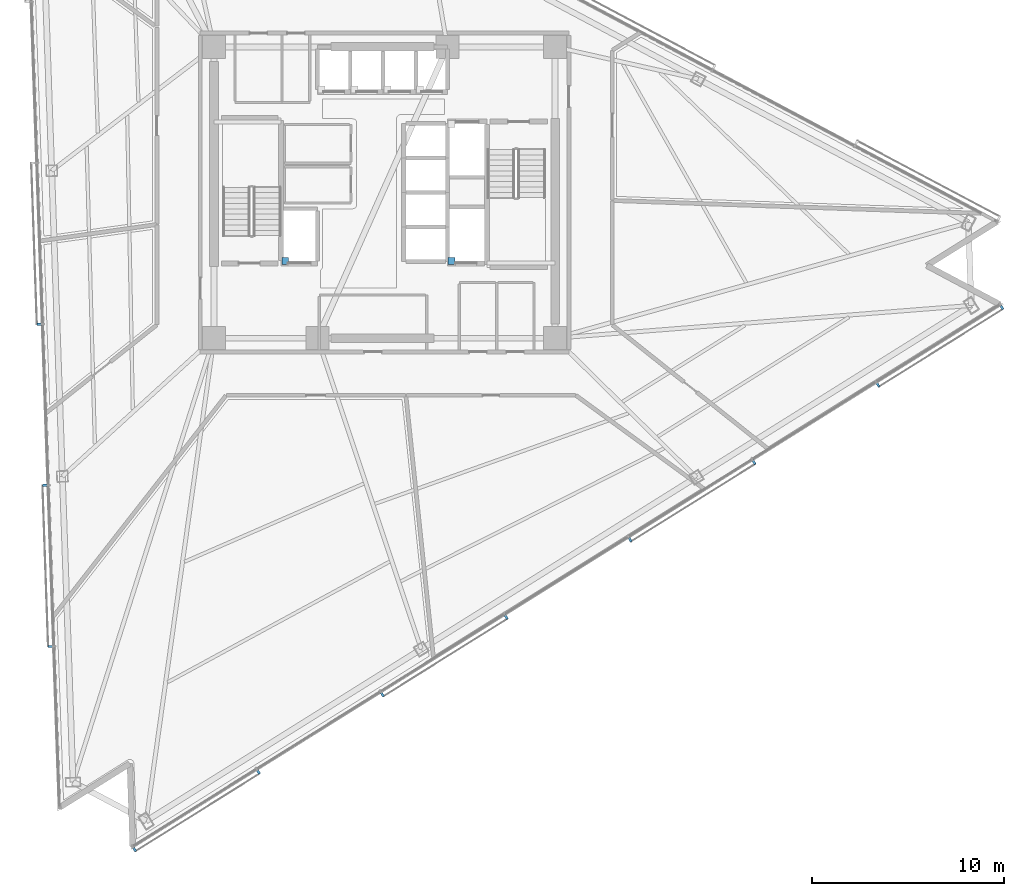
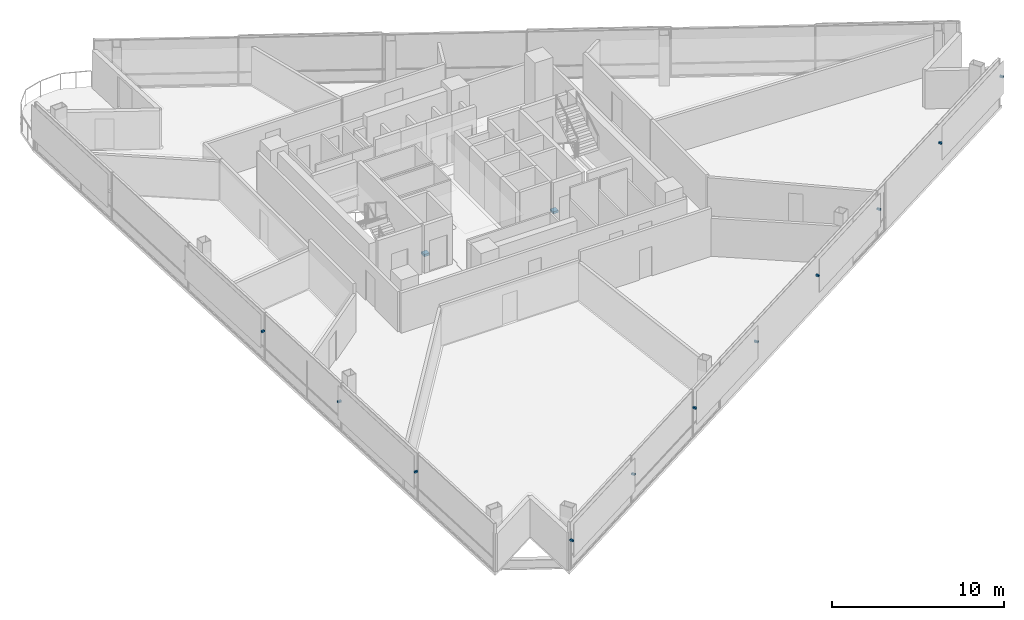
# One storey, part 15 of 20: 13 discrete accessories.
"""IFC4 building model written with IfcOpenShell, lengths in metres."""

from ifc_helpers import new_model, si_unit, direction, frame, origin, origin_2d, place, context, subcontext, project, spatial, rectangle, extrude, material, type_object, element, save


model = new_model("IFC4")

# Units and contexts
model_context = context("Model", 3, precision=1e-05, world=origin(), true_north=direction((0.0, 1.0)))
body_context = subcontext(model_context, "Body", "Model", "MODEL_VIEW")
ifc_project = project(units=[si_unit("LENGTHUNIT", "METRE"), si_unit("AREAUNIT", "SQUARE_METRE"), si_unit("VOLUMEUNIT", "CUBIC_METRE"), si_unit("PLANEANGLEUNIT", "RADIAN"), si_unit("MASSUNIT", "GRAM", prefix="KILO")], contexts=[model_context])

# Site, building, storey
site_placement = place(None, origin())
site = spatial("IfcSite", under=ifc_project, at=site_placement, CompositionType="ELEMENT")
building_placement = place(site_placement, origin())
building = spatial("IfcBuilding", under=site, at=building_placement, Name="Tharavind Bronze Gate", CompositionType="ELEMENT")
storey_placement = place(building_placement, frame((0.0, 0.0, 146.0)))
storey = spatial("IfcBuildingStorey", under=building, at=storey_placement, Name="L37", CompositionType="ELEMENT", Elevation=146.0)

# Discrete accessories
ifc_material_1 = material(Name="Galvanised Steel S355", Category="steel")
discrete_accessory_type_1 = type_object("IfcDiscreteAccessoryType", Name="LIFT GUIDE RAIL BRACKET", PredefinedType="BRACKET", material=ifc_material_1)
for number, where, z_axis, x_axis, name in (
    (1, (-5.179931640625, -3.580078125, 1.1201171875), (0.0, 0.0, 1.0), (1.0, 0.0, 0.0), "Lift FFL1 guide rail bracket at L37"),
    (2, (3.5, -3.580078125, 1.1201171875), (0.0, 0.0, 1.0), (1.0, 0.0, 0.0), "Lift SVL1 guide rail bracket at L37"),
):
    element("IfcDiscreteAccessory", number, at=place(storey_placement, frame(where, z_axis=z_axis, x_axis=x_axis)), inside=storey, type_object=discrete_accessory_type_1, Name=name, PredefinedType="BRACKET", context=body_context, shape_type="SweptSolid", body=[
        extrude(rectangle(XDim=0.360107421875, YDim=0.360107421875, at=origin_2d()), origin(), (0.0, 0.0, 1.0), 0.159912109375),
    ])
ifc_material_2 = material(Name="Stainless Steel 316", Category="steel")
discrete_accessory_type_2 = type_object("IfcDiscreteAccessoryType", Name="SOLAR SCREEN STANDOFF BRACKET", PredefinedType="BRACKET", material=ifc_material_2)
for number, where, z_axis, x_axis, name in (
    (3, (-18.018798828125, -6.8701171875, 2.094970703125), (0.0, 0.0, 1.0), (0.034899496703, -0.999390827019, 0.0), "CW-L37-S1 solar screen bracket 3.2"),
    (4, (-17.72509765625, -15.279541015625, 2.094970703125), (0.0, 0.0, 1.0), (0.034899496703, -0.999390827019, 0.0), "CW-L37-S1 solar screen bracket 5.1"),
    (5, (-17.431396484375, -23.68896484375, 2.094970703125), (0.0, 0.0, 1.0), (0.034899496703, -0.999390827019, 0.0), "CW-L37-S1 solar screen bracket 5.2"),
    (6, (-13.048095703125, -34.27294921875, 2.094970703125), (0.0, 0.0, 1.0), (0.848048096156, 0.529919264233, 0.0), "CW-L37-S2 solar screen bracket 1.1"),
    (7, (-6.582763671875, -30.23291015625, 2.094970703125), (0.0, 0.0, 1.0), (0.848048096156, 0.529919264233, 0.0), "CW-L37-S2 solar screen bracket 1.2"),
    (8, (-0.1171875, -26.19287109375, 2.094970703125), (0.0, 0.0, 1.0), (0.848048096156, 0.529919264233, 0.0), "CW-L37-S2 solar screen bracket 3.1"),
    (9, (6.34814453125, -22.15283203125, 2.094970703125), (0.0, 0.0, 1.0), (0.848048096156, 0.529919264233, 0.0), "CW-L37-S2 solar screen bracket 3.2"),
    (10, (12.813720703125, -18.11279296875, 2.094970703125), (0.0, 0.0, 1.0), (0.848048096156, 0.529919264233, 0.0), "CW-L37-S2 solar screen bracket 5.1"),
    (11, (19.279052734375, -14.07275390625, 2.094970703125), (0.0, 0.0, 1.0), (0.848048096156, 0.529919264233, 0.0), "CW-L37-S2 solar screen bracket 5.2"),
    (12, (25.744384765625, -10.03271484375, 2.094970703125), (0.0, 0.0, 1.0), (0.848048096156, 0.529919264233, 0.0), "CW-L37-S2 solar screen bracket 7.1"),
    (13, (32.2099609375, -5.992431640625, 2.094970703125), (0.0, 0.0, 1.0), (0.848048096156, 0.529919264233, 0.0), "CW-L37-S2 solar screen bracket 7.2"),
):
    element("IfcDiscreteAccessory", number, at=place(storey_placement, frame(where, z_axis=z_axis, x_axis=x_axis)), inside=storey, type_object=discrete_accessory_type_2, Name=name, PredefinedType="BRACKET", context=body_context, shape_type="SweptSolid", body=[
        extrude(rectangle(XDim=0.1201171875, YDim=0.239990234375, at=origin_2d()), origin(), (0.0, 0.0, 1.0), 0.1201171875),
    ])

save(model, "model.ifc")
